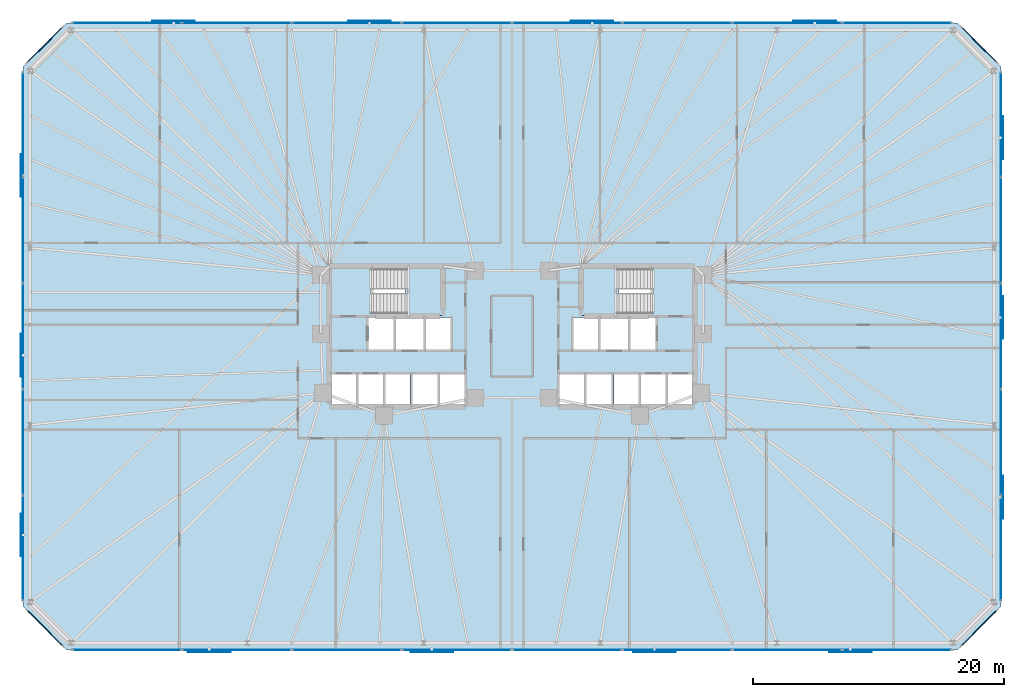
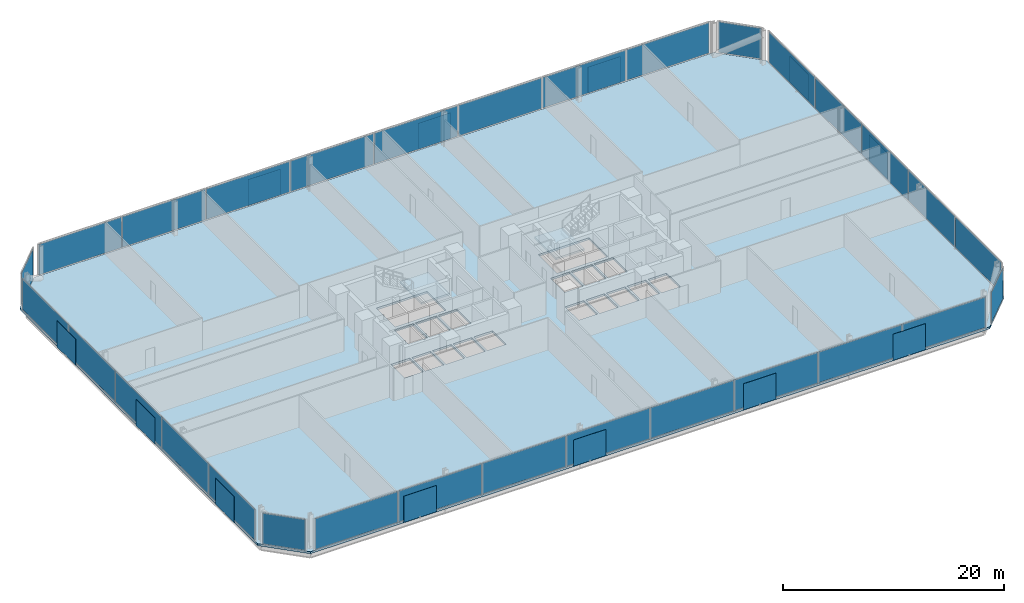
# One storey, part 11 of 17: 44 plates, 3 slabs, 10 elements without a shape of their own.
"""IFC4 building model written with IfcOpenShell, lengths in metres."""

from ifc_helpers import new_model, si_unit, direction, frame, origin, origin_2d, place, context, subcontext, project, spatial, polyline, rectangle, outline, extrude, material, layer, layer_set, type_object, element, aggregate, save


model = new_model("IFC4")

# Units and contexts
model_context = context("Model", 3, precision=1e-05, world=origin(), true_north=direction((0.0, 1.0)))
body_context = subcontext(model_context, "Body", "Model", "MODEL_VIEW")
ifc_project = project(units=[si_unit("LENGTHUNIT", "METRE"), si_unit("AREAUNIT", "SQUARE_METRE"), si_unit("VOLUMEUNIT", "CUBIC_METRE"), si_unit("PLANEANGLEUNIT", "RADIAN"), si_unit("MASSUNIT", "GRAM", prefix="KILO")], contexts=[model_context])

# Site, building, storey
site_placement = place(None, origin())
site = spatial("IfcSite", under=ifc_project, at=site_placement, CompositionType="ELEMENT")
building_placement = place(site_placement, origin())
building = spatial("IfcBuilding", under=site, at=building_placement, Name="Menara Jurai Vektor", CompositionType="ELEMENT")
storey_placement = place(building_placement, frame((0.0, 0.0, 25.60009765625)))
storey = spatial("IfcBuildingStorey", under=building, at=storey_placement, Name="L05", CompositionType="ELEMENT", Elevation=25.60009765625)

# Curtain wall, plates
ifc_material_1 = material(Name="Anodised Pale Aluminium & Low-E Double Glazing", Category="aluminium")
curtain_wall_type = type_object("IfcCurtainWallType", Name="CW-BLK1", PredefinedType="NOTDEFINED", material=ifc_material_1)
curtain_wall_1_placement = place(storey_placement, origin())
curtain_wall_1 = element("IfcCurtainWall", 1, at=curtain_wall_1_placement, inside=storey, type_object=curtain_wall_type, Name="Unitised Curtain Wall L05 F01", PredefinedType="NOTDEFINED")
ifc_material_2 = material(Name="Low-E Solar-Control Double Glazed Unit", Category="glass")
ifc_layer_1 = layer(ifc_material_2, 0.035888671875)
ifc_layer_set_1 = layer_set([ifc_layer_1], Name="Low-E Solar-Control Double Glazed Unit")
plate_type_1 = type_object("IfcPlateType", Name="CW-BLK1-PNL", PredefinedType="CURTAIN_PANEL", material=ifc_layer_set_1)
plate_1_placement = place(storey_placement, frame((-30.706298828125, -25.0, 0.0947265625), z_axis=(0.0, 0.0, 1.0), x_axis=(1.0, 0.0, 0.0)))
plate_1 = element("IfcPlate", 2, at=plate_1_placement, type_object=plate_type_1, Name="CW-01 panel 1.1", PredefinedType="CURTAIN_PANEL", context=body_context, shape_type="SweptSolid", body=[
    extrude(rectangle(XDim=8.637451171875, YDim=0.035888671875, at=origin_2d()), origin(), (0.0, 0.0, 1.0), 3.385009765625),
])
plate_2_placement = place(storey_placement, frame((-21.949951171875, -25.0, 0.0947265625), z_axis=(0.0, 0.0, 1.0), x_axis=(1.0, 0.0, 0.0)))
plate_2 = element("IfcPlate", 3, at=plate_2_placement, type_object=plate_type_1, Name="CW-01 panel 2.1", PredefinedType="CURTAIN_PANEL", context=body_context, shape_type="SweptSolid", body=[
    extrude(rectangle(XDim=8.68505859375, YDim=0.035888671875, at=origin_2d()), origin(), (0.0, 0.0, 1.0), 3.385009765625),
])
plate_3_placement = place(storey_placement, frame((-13.169921875, -25.0, 0.0947265625), z_axis=(0.0, 0.0, 1.0), x_axis=(1.0, 0.0, 0.0)))
plate_3 = element("IfcPlate", 4, at=plate_3_placement, type_object=plate_type_1, Name="CW-01 panel 3.1", PredefinedType="CURTAIN_PANEL", context=body_context, shape_type="SweptSolid", body=[
    extrude(rectangle(XDim=8.68505859375, YDim=0.035888671875, at=origin_2d()), origin(), (0.0, 0.0, 1.0), 3.385009765625),
])
plate_4_placement = place(storey_placement, frame((-4.389892578125, -25.0, 0.0947265625), z_axis=(0.0, 0.0, 1.0), x_axis=(1.0, 0.0, 0.0)))
plate_4 = element("IfcPlate", 5, at=plate_4_placement, type_object=plate_type_1, Name="CW-01 panel 4.1", PredefinedType="CURTAIN_PANEL", context=body_context, shape_type="SweptSolid", body=[
    extrude(rectangle(XDim=8.68505859375, YDim=0.035888671875, at=origin_2d()), origin(), (0.0, 0.0, 1.0), 3.385009765625),
])
plate_5_placement = place(storey_placement, frame((4.389892578125, -25.0, 0.0947265625), z_axis=(0.0, 0.0, 1.0), x_axis=(1.0, 0.0, 0.0)))
plate_5 = element("IfcPlate", 6, at=plate_5_placement, type_object=plate_type_1, Name="CW-01 panel 5.1", PredefinedType="CURTAIN_PANEL", context=body_context, shape_type="SweptSolid", body=[
    extrude(rectangle(XDim=8.68505859375, YDim=0.035888671875, at=origin_2d()), origin(), (0.0, 0.0, 1.0), 3.385009765625),
])
plate_6_placement = place(storey_placement, frame((13.169921875, -25.0, 0.0947265625), z_axis=(0.0, 0.0, 1.0), x_axis=(1.0, 0.0, 0.0)))
plate_6 = element("IfcPlate", 7, at=plate_6_placement, type_object=plate_type_1, Name="CW-01 panel 6.1", PredefinedType="CURTAIN_PANEL", context=body_context, shape_type="SweptSolid", body=[
    extrude(rectangle(XDim=8.68505859375, YDim=0.035888671875, at=origin_2d()), origin(), (0.0, 0.0, 1.0), 3.385009765625),
])
plate_7_placement = place(storey_placement, frame((21.949951171875, -25.0, 0.0947265625), z_axis=(0.0, 0.0, 1.0), x_axis=(1.0, 0.0, 0.0)))
plate_7 = element("IfcPlate", 8, at=plate_7_placement, type_object=plate_type_1, Name="CW-01 panel 7.1", PredefinedType="CURTAIN_PANEL", context=body_context, shape_type="SweptSolid", body=[
    extrude(rectangle(XDim=8.68505859375, YDim=0.035888671875, at=origin_2d()), origin(), (0.0, 0.0, 1.0), 3.385009765625),
])
plate_8_placement = place(storey_placement, frame((30.706298828125, -25.0, 0.0947265625), z_axis=(0.0, 0.0, 1.0), x_axis=(1.0, 0.0, 0.0)))
plate_8 = element("IfcPlate", 9, at=plate_8_placement, type_object=plate_type_1, Name="CW-01 panel 8.1", PredefinedType="CURTAIN_PANEL", context=body_context, shape_type="SweptSolid", body=[
    extrude(rectangle(XDim=8.637451171875, YDim=0.035888671875, at=origin_2d()), origin(), (0.0, 0.0, 1.0), 3.385009765625),
])
aggregate(curtain_wall_1, [plate_1, plate_2, plate_3, plate_4, plate_5, plate_6, plate_7, plate_8])

curtain_wall_2_placement = place(storey_placement, origin())
curtain_wall_2 = element("IfcCurtainWall", 10, at=curtain_wall_2_placement, inside=storey, type_object=curtain_wall_type, Name="Unitised Curtain Wall L05 F03", PredefinedType="NOTDEFINED")
plate_9_placement = place(storey_placement, frame((39.0, -16.872314453125, 0.0947265625), z_axis=(0.0, 0.0, 1.0), x_axis=(0.0, 1.0, 0.0)))
plate_9 = element("IfcPlate", 11, at=plate_9_placement, type_object=plate_type_1, Name="CW-01 panel 1.1", PredefinedType="CURTAIN_PANEL", context=body_context, shape_type="SweptSolid", body=[
    extrude(rectangle(XDim=8.305419921875, YDim=0.035888671875, at=origin_2d()), origin(), (0.0, 0.0, 1.0), 3.385009765625),
])
plate_10_placement = place(storey_placement, frame((39.0, -8.447998046875, 0.0947265625), z_axis=(0.0, 0.0, 1.0), x_axis=(0.0, 1.0, 0.0)))
plate_10 = element("IfcPlate", 12, at=plate_10_placement, type_object=plate_type_1, Name="CW-01 panel 2.1", PredefinedType="CURTAIN_PANEL", context=body_context, shape_type="SweptSolid", body=[
    extrude(rectangle(XDim=8.35302734375, YDim=0.035888671875, at=origin_2d()), origin(), (0.0, 0.0, 1.0), 3.385009765625),
])
plate_11_placement = place(storey_placement, frame((39.0, 0.0, 0.0947265625), z_axis=(0.0, 0.0, 1.0), x_axis=(0.0, 1.0, 0.0)))
plate_11 = element("IfcPlate", 13, at=plate_11_placement, type_object=plate_type_1, Name="CW-01 panel 3.1", PredefinedType="CURTAIN_PANEL", context=body_context, shape_type="SweptSolid", body=[
    extrude(rectangle(XDim=8.35302734375, YDim=0.035888671875, at=origin_2d()), origin(), (0.0, 0.0, 1.0), 3.385009765625),
])
plate_12_placement = place(storey_placement, frame((39.0, 8.447998046875, 0.0947265625), z_axis=(0.0, 0.0, 1.0), x_axis=(0.0, 1.0, 0.0)))
plate_12 = element("IfcPlate", 14, at=plate_12_placement, type_object=plate_type_1, Name="CW-01 panel 4.1", PredefinedType="CURTAIN_PANEL", context=body_context, shape_type="SweptSolid", body=[
    extrude(rectangle(XDim=8.35302734375, YDim=0.035888671875, at=origin_2d()), origin(), (0.0, 0.0, 1.0), 3.385009765625),
])
plate_13_placement = place(storey_placement, frame((39.0, 16.872314453125, 0.0947265625), z_axis=(0.0, 0.0, 1.0), x_axis=(0.0, 1.0, 0.0)))
plate_13 = element("IfcPlate", 15, at=plate_13_placement, type_object=plate_type_1, Name="CW-01 panel 5.1", PredefinedType="CURTAIN_PANEL", context=body_context, shape_type="SweptSolid", body=[
    extrude(rectangle(XDim=8.305419921875, YDim=0.035888671875, at=origin_2d()), origin(), (0.0, 0.0, 1.0), 3.385009765625),
])
aggregate(curtain_wall_2, [plate_9, plate_10, plate_11, plate_12, plate_13])

curtain_wall_3_placement = place(storey_placement, origin())
curtain_wall_3 = element("IfcCurtainWall", 16, at=curtain_wall_3_placement, inside=storey, type_object=curtain_wall_type, Name="Unitised Curtain Wall L05 F05", PredefinedType="NOTDEFINED")
plate_14_placement = place(storey_placement, frame((30.706298828125, 25.0, 0.0947265625), z_axis=(0.0, 0.0, 1.0), x_axis=(-1.0, 0.0, 0.0)))
plate_14 = element("IfcPlate", 17, at=plate_14_placement, type_object=plate_type_1, Name="CW-01 panel 1.1", PredefinedType="CURTAIN_PANEL", context=body_context, shape_type="SweptSolid", body=[
    extrude(rectangle(XDim=8.637451171875, YDim=0.035888671875, at=origin_2d()), origin(), (0.0, 0.0, 1.0), 3.385009765625),
])
plate_15_placement = place(storey_placement, frame((21.949951171875, 25.0, 0.0947265625), z_axis=(0.0, 0.0, 1.0), x_axis=(-1.0, 0.0, 0.0)))
plate_15 = element("IfcPlate", 18, at=plate_15_placement, type_object=plate_type_1, Name="CW-01 panel 2.1", PredefinedType="CURTAIN_PANEL", context=body_context, shape_type="SweptSolid", body=[
    extrude(rectangle(XDim=8.68505859375, YDim=0.035888671875, at=origin_2d()), origin(), (0.0, 0.0, 1.0), 3.385009765625),
])
plate_16_placement = place(storey_placement, frame((13.169921875, 25.0, 0.0947265625), z_axis=(0.0, 0.0, 1.0), x_axis=(-1.0, 0.0, 0.0)))
plate_16 = element("IfcPlate", 19, at=plate_16_placement, type_object=plate_type_1, Name="CW-01 panel 3.1", PredefinedType="CURTAIN_PANEL", context=body_context, shape_type="SweptSolid", body=[
    extrude(rectangle(XDim=8.68505859375, YDim=0.035888671875, at=origin_2d()), origin(), (0.0, 0.0, 1.0), 3.385009765625),
])
plate_17_placement = place(storey_placement, frame((4.389892578125, 25.0, 0.0947265625), z_axis=(0.0, 0.0, 1.0), x_axis=(-1.0, 0.0, 0.0)))
plate_17 = element("IfcPlate", 20, at=plate_17_placement, type_object=plate_type_1, Name="CW-01 panel 4.1", PredefinedType="CURTAIN_PANEL", context=body_context, shape_type="SweptSolid", body=[
    extrude(rectangle(XDim=8.68505859375, YDim=0.035888671875, at=origin_2d()), origin(), (0.0, 0.0, 1.0), 3.385009765625),
])
plate_18_placement = place(storey_placement, frame((-4.389892578125, 25.0, 0.0947265625), z_axis=(0.0, 0.0, 1.0), x_axis=(-1.0, 0.0, 0.0)))
plate_18 = element("IfcPlate", 21, at=plate_18_placement, type_object=plate_type_1, Name="CW-01 panel 5.1", PredefinedType="CURTAIN_PANEL", context=body_context, shape_type="SweptSolid", body=[
    extrude(rectangle(XDim=8.68505859375, YDim=0.035888671875, at=origin_2d()), origin(), (0.0, 0.0, 1.0), 3.385009765625),
])
plate_19_placement = place(storey_placement, frame((-13.169921875, 25.0, 0.0947265625), z_axis=(0.0, 0.0, 1.0), x_axis=(-1.0, 0.0, 0.0)))
plate_19 = element("IfcPlate", 22, at=plate_19_placement, type_object=plate_type_1, Name="CW-01 panel 6.1", PredefinedType="CURTAIN_PANEL", context=body_context, shape_type="SweptSolid", body=[
    extrude(rectangle(XDim=8.68505859375, YDim=0.035888671875, at=origin_2d()), origin(), (0.0, 0.0, 1.0), 3.385009765625),
])
plate_20_placement = place(storey_placement, frame((-21.949951171875, 25.0, 0.0947265625), z_axis=(0.0, 0.0, 1.0), x_axis=(-1.0, 0.0, 0.0)))
plate_20 = element("IfcPlate", 23, at=plate_20_placement, type_object=plate_type_1, Name="CW-01 panel 7.1", PredefinedType="CURTAIN_PANEL", context=body_context, shape_type="SweptSolid", body=[
    extrude(rectangle(XDim=8.68505859375, YDim=0.035888671875, at=origin_2d()), origin(), (0.0, 0.0, 1.0), 3.385009765625),
])
plate_21_placement = place(storey_placement, frame((-30.706298828125, 25.0, 0.0947265625), z_axis=(0.0, 0.0, 1.0), x_axis=(-1.0, 0.0, 0.0)))
plate_21 = element("IfcPlate", 24, at=plate_21_placement, type_object=plate_type_1, Name="CW-01 panel 8.1", PredefinedType="CURTAIN_PANEL", context=body_context, shape_type="SweptSolid", body=[
    extrude(rectangle(XDim=8.637451171875, YDim=0.035888671875, at=origin_2d()), origin(), (0.0, 0.0, 1.0), 3.385009765625),
])
aggregate(curtain_wall_3, [plate_14, plate_15, plate_16, plate_17, plate_18, plate_19, plate_20, plate_21])

curtain_wall_4_placement = place(storey_placement, origin())
curtain_wall_4 = element("IfcCurtainWall", 25, at=curtain_wall_4_placement, inside=storey, type_object=curtain_wall_type, Name="Unitised Curtain Wall L05 F07", PredefinedType="NOTDEFINED")
plate_22_placement = place(storey_placement, frame((-39.0, 16.872314453125, 0.0947265625), z_axis=(0.0, 0.0, 1.0), x_axis=(0.0, -1.0, 0.0)))
plate_22 = element("IfcPlate", 26, at=plate_22_placement, type_object=plate_type_1, Name="CW-01 panel 1.1", PredefinedType="CURTAIN_PANEL", context=body_context, shape_type="SweptSolid", body=[
    extrude(rectangle(XDim=8.305419921875, YDim=0.035888671875, at=origin_2d()), origin(), (0.0, 0.0, 1.0), 3.385009765625),
])
plate_23_placement = place(storey_placement, frame((-39.0, 8.447998046875, 0.0947265625), z_axis=(0.0, 0.0, 1.0), x_axis=(0.0, -1.0, 0.0)))
plate_23 = element("IfcPlate", 27, at=plate_23_placement, type_object=plate_type_1, Name="CW-01 panel 2.1", PredefinedType="CURTAIN_PANEL", context=body_context, shape_type="SweptSolid", body=[
    extrude(rectangle(XDim=8.35302734375, YDim=0.035888671875, at=origin_2d()), origin(), (0.0, 0.0, 1.0), 3.385009765625),
])
plate_24_placement = place(storey_placement, frame((-39.0, 0.0, 0.0947265625), z_axis=(0.0, 0.0, 1.0), x_axis=(0.0, -1.0, 0.0)))
plate_24 = element("IfcPlate", 28, at=plate_24_placement, type_object=plate_type_1, Name="CW-01 panel 3.1", PredefinedType="CURTAIN_PANEL", context=body_context, shape_type="SweptSolid", body=[
    extrude(rectangle(XDim=8.35302734375, YDim=0.035888671875, at=origin_2d()), origin(), (0.0, 0.0, 1.0), 3.385009765625),
])
plate_25_placement = place(storey_placement, frame((-39.0, -8.447998046875, 0.0947265625), z_axis=(0.0, 0.0, 1.0), x_axis=(0.0, -1.0, 0.0)))
plate_25 = element("IfcPlate", 29, at=plate_25_placement, type_object=plate_type_1, Name="CW-01 panel 4.1", PredefinedType="CURTAIN_PANEL", context=body_context, shape_type="SweptSolid", body=[
    extrude(rectangle(XDim=8.35302734375, YDim=0.035888671875, at=origin_2d()), origin(), (0.0, 0.0, 1.0), 3.385009765625),
])
plate_26_placement = place(storey_placement, frame((-39.0, -16.872314453125, 0.0947265625), z_axis=(0.0, 0.0, 1.0), x_axis=(0.0, -1.0, 0.0)))
plate_26 = element("IfcPlate", 30, at=plate_26_placement, type_object=plate_type_1, Name="CW-01 panel 5.1", PredefinedType="CURTAIN_PANEL", context=body_context, shape_type="SweptSolid", body=[
    extrude(rectangle(XDim=8.305419921875, YDim=0.035888671875, at=origin_2d()), origin(), (0.0, 0.0, 1.0), 3.385009765625),
])
aggregate(curtain_wall_4, [plate_22, plate_23, plate_24, plate_25, plate_26])

# Curtain wall, plate
curtain_wall_5_placement = place(storey_placement, origin())
curtain_wall_5 = element("IfcCurtainWall", 31, at=curtain_wall_5_placement, inside=storey, type_object=curtain_wall_type, Name="Unitised Curtain Wall L05 F02", PredefinedType="NOTDEFINED")
ifc_material_3 = material(Name="Insulated Pale Aluminium Spandrel Panel", Category="aluminium")
ifc_layer_2 = layer(ifc_material_3, 0.06005859375)
ifc_layer_set_2 = layer_set([ifc_layer_2], Name="Insulated Pale Aluminium Spandrel Panel")
plate_type_2 = type_object("IfcPlateType", Name="CW-PNL-SP", PredefinedType="CURTAIN_PANEL", material=ifc_layer_set_2)
plate_27_placement = place(storey_placement, frame((37.25, -23.25, 0.0947265625), z_axis=(0.0, 0.0, 1.0), x_axis=(0.707106781187, 0.707106781187, 0.0)))
plate_27 = element("IfcPlate", 32, at=plate_27_placement, type_object=plate_type_2, Name="CW-01 panel 1.1", PredefinedType="CURTAIN_PANEL", context=body_context, shape_type="SweptSolid", body=[
    extrude(rectangle(XDim=3.999755859375, YDim=0.06005859375, at=origin_2d()), origin(), (0.0, 0.0, 1.0), 3.385009765625),
])
aggregate(curtain_wall_5, [plate_27])

curtain_wall_6_placement = place(storey_placement, origin())
curtain_wall_6 = element("IfcCurtainWall", 33, at=curtain_wall_6_placement, inside=storey, type_object=curtain_wall_type, Name="Unitised Curtain Wall L05 F04", PredefinedType="NOTDEFINED")
plate_28_placement = place(storey_placement, frame((37.25, 23.25, 0.0947265625), z_axis=(0.0, 0.0, 1.0), x_axis=(-0.707106781187, 0.707106781187, 0.0)))
plate_28 = element("IfcPlate", 34, at=plate_28_placement, type_object=plate_type_2, Name="CW-01 panel 1.1", PredefinedType="CURTAIN_PANEL", context=body_context, shape_type="SweptSolid", body=[
    extrude(rectangle(XDim=3.999755859375, YDim=0.06005859375, at=origin_2d()), origin(), (0.0, 0.0, 1.0), 3.385009765625),
])
aggregate(curtain_wall_6, [plate_28])

curtain_wall_7_placement = place(storey_placement, origin())
curtain_wall_7 = element("IfcCurtainWall", 35, at=curtain_wall_7_placement, inside=storey, type_object=curtain_wall_type, Name="Unitised Curtain Wall L05 F06", PredefinedType="NOTDEFINED")
plate_29_placement = place(storey_placement, frame((-37.25, 23.25, 0.0947265625), z_axis=(0.0, 0.0, 1.0), x_axis=(-0.707106781187, -0.707106781187, 0.0)))
plate_29 = element("IfcPlate", 36, at=plate_29_placement, type_object=plate_type_2, Name="CW-01 panel 1.1", PredefinedType="CURTAIN_PANEL", context=body_context, shape_type="SweptSolid", body=[
    extrude(rectangle(XDim=3.999755859375, YDim=0.06005859375, at=origin_2d()), origin(), (0.0, 0.0, 1.0), 3.385009765625),
])
aggregate(curtain_wall_7, [plate_29])

curtain_wall_8_placement = place(storey_placement, origin())
curtain_wall_8 = element("IfcCurtainWall", 37, at=curtain_wall_8_placement, inside=storey, type_object=curtain_wall_type, Name="Unitised Curtain Wall L05 F08", PredefinedType="NOTDEFINED")
plate_30_placement = place(storey_placement, frame((-37.25, -23.25, 0.0947265625), z_axis=(0.0, 0.0, 1.0), x_axis=(0.707106781187, -0.707106781187, 0.0)))
plate_30 = element("IfcPlate", 38, at=plate_30_placement, type_object=plate_type_2, Name="CW-01 panel 1.1", PredefinedType="CURTAIN_PANEL", context=body_context, shape_type="SweptSolid", body=[
    extrude(rectangle(XDim=3.999755859375, YDim=0.06005859375, at=origin_2d()), origin(), (0.0, 0.0, 1.0), 3.385009765625),
])
aggregate(curtain_wall_8, [plate_30])

# Plates
ifc_material_4 = material(Name="Anodised Pale Aluminium Perforated Screen", Category="aluminium")
ifc_layer_3 = layer(ifc_material_4, 0.02392578125)
ifc_layer_set_3 = layer_set([ifc_layer_3], Name="Anodised Pale Aluminium Perforated Screen")
plate_type_3 = type_object("IfcPlateType", Name="ENV-PLT-SCREEN", PredefinedType="USERDEFINED", material=ifc_layer_set_3)
for number, where, z_axis, x_axis, name in (
    (39, (-24.139892578125, -25.159912109375, -0.050048828125), (0.0, 0.0, 1.0), (1.0, 0.0, 0.0), "Perforated Pale-Metal Solar Screen L05-S01"),
    (40, (-6.389892578125, -25.159912109375, -0.050048828125), (0.0, 0.0, 1.0), (1.0, 0.0, 0.0), "Perforated Pale-Metal Solar Screen L05-S02"),
    (41, (11.360107421875, -25.159912109375, -0.050048828125), (0.0, 0.0, 1.0), (1.0, 0.0, 0.0), "Perforated Pale-Metal Solar Screen L05-S03"),
    (42, (26.97998046875, -25.159912109375, -0.050048828125), (0.0, 0.0, 1.0), (1.0, 0.0, 0.0), "Perforated Pale-Metal Solar Screen L05-S04"),
    (43, (39.159912109375, -12.828369140625, -0.050048828125), (0.0, 0.0, 1.0), (0.0, 1.0, 0.0), "Perforated Pale-Metal Solar Screen L05-S05"),
    (44, (39.159912109375, 1.5048828125, -0.050048828125), (0.0, 0.0, 1.0), (0.0, 1.0, 0.0), "Perforated Pale-Metal Solar Screen L05-S06"),
    (45, (39.159912109375, 15.83837890625, -0.050048828125), (0.0, 0.0, 1.0), (0.0, 1.0, 0.0), "Perforated Pale-Metal Solar Screen L05-S07"),
    (46, (24.139892578125, 25.159912109375, -0.050048828125), (0.0, 0.0, 1.0), (-1.0, 0.0, 0.0), "Perforated Pale-Metal Solar Screen L05-S08"),
    (47, (6.389892578125, 25.159912109375, -0.050048828125), (0.0, 0.0, 1.0), (-1.0, 0.0, 0.0), "Perforated Pale-Metal Solar Screen L05-S09"),
    (48, (-11.360107421875, 25.159912109375, -0.050048828125), (0.0, 0.0, 1.0), (-1.0, 0.0, 0.0), "Perforated Pale-Metal Solar Screen L05-S10"),
    (49, (-26.97998046875, 25.159912109375, -0.050048828125), (0.0, 0.0, 1.0), (-1.0, 0.0, 0.0), "Perforated Pale-Metal Solar Screen L05-S11"),
    (50, (-39.159912109375, 12.828369140625, -0.050048828125), (0.0, 0.0, 1.0), (0.0, -1.0, 0.0), "Perforated Pale-Metal Solar Screen L05-S12"),
    (51, (-39.159912109375, -1.5048828125, -0.050048828125), (0.0, 0.0, 1.0), (0.0, -1.0, 0.0), "Perforated Pale-Metal Solar Screen L05-S13"),
    (52, (-39.159912109375, -15.83837890625, -0.050048828125), (0.0, 0.0, 1.0), (0.0, -1.0, 0.0), "Perforated Pale-Metal Solar Screen L05-S14"),
):
    element("IfcPlate", number, at=place(storey_placement, frame(where, z_axis=z_axis, x_axis=x_axis)), inside=storey, type_object=plate_type_3, Name=name, ObjectType="SCREEN", PredefinedType="USERDEFINED", context=body_context, shape_type="SweptSolid", body=[
        extrude(rectangle(XDim=3.39990234375, YDim=0.02392578125, at=origin_2d()), origin(), (0.0, 0.0, 1.0), 2.89990234375),
    ])

# Stair, slab
ifc_material_5 = material(Name="Concrete C40/50", Category="concrete")
stair_type = type_object("IfcStairType", Name="STAIR-DOGLEG-1500", PredefinedType="HALF_TURN_STAIR", material=ifc_material_5)
stair_1_placement = place(storey_placement, origin())
stair_1 = element("IfcStair", 53, at=stair_1_placement, inside=storey, type_object=stair_type, Name="Protected Exit Stair ST1 L05", PredefinedType="HALF_TURN_STAIR")
ifc_layer_4 = layer(ifc_material_5, 0.199951171875)
ifc_layer_set_4 = layer_set([ifc_layer_4], Name="Concrete C40/50")
slab_type_1 = type_object("IfcSlabType", Name="STAIR-LANDING-200", PredefinedType="LANDING", material=ifc_layer_set_4)
slab_1_placement = place(storey_placement, frame((0.0, 0.0, 1.699951171875)))
slab_1 = element("IfcSlab", 54, at=slab_1_placement, type_object=slab_type_1, Name="ST1 landing 1", PredefinedType="LANDING", context=body_context, shape_type="SweptSolid", body=[
    extrude(outline(polyline([(-8.52001953125, 1.64990234375), (-5.550048828125, 1.64990234375), (-5.550048828125, 5.550048828125), (-8.52001953125, 5.550048828125), (-8.52001953125, 1.64990234375)])), origin(), (0.0, 0.0, 1.0), 0.199951171875),
])
aggregate(stair_1, [slab_1])

stair_2_placement = place(storey_placement, origin())
stair_2 = element("IfcStair", 55, at=stair_2_placement, inside=storey, type_object=stair_type, Name="Protected Exit Stair ST2 L05", PredefinedType="HALF_TURN_STAIR")
slab_2_placement = place(storey_placement, frame((0.0, 0.0, 1.699951171875)))
slab_2 = element("IfcSlab", 56, at=slab_2_placement, type_object=slab_type_1, Name="ST2 landing 1", PredefinedType="LANDING", context=body_context, shape_type="SweptSolid", body=[
    extrude(outline(polyline([(5.550048828125, 1.64990234375), (8.52001953125, 1.64990234375), (8.52001953125, 5.550048828125), (5.550048828125, 5.550048828125), (5.550048828125, 1.64990234375)])), origin(), (0.0, 0.0, 1.0), 0.199951171875),
])
aggregate(stair_2, [slab_2])

# Slab
ifc_layer_5 = layer(ifc_material_5, 0.22509765625)
ifc_layer_set_5 = layer_set([ifc_layer_5], Name="Concrete C40/50")
slab_type_2 = type_object("IfcSlabType", Name="STR-SLAB-TYP200", PredefinedType="FLOOR", material=ifc_layer_set_5)
slab_3_placement = place(storey_placement, frame((0.0, 0.0, -0.22509765625)))
element("IfcSlab", 57, at=slab_3_placement, inside=storey, type_object=slab_type_2, Name="Composite Floor Slab L05", PredefinedType="FLOOR", context=body_context, shape_type="SweptSolid", body=[
    extrude(outline(polyline([(-35.5, -25.0), (35.5, -25.0), (39.0, -21.5), (39.0, 21.5), (35.5, 25.0), (-35.5, 25.0), (-39.0, 21.5), (-39.0, -21.5), (-35.5, -25.0)]), holes=[polyline([(-11.10009765625, 1.89990234375), (-11.10009765625, 5.300048828125), (-5.800048828125, 5.300048828125), (-5.800048828125, 1.89990234375), (-11.10009765625, 1.89990234375)]), polyline([(5.800048828125, 1.89990234375), (5.800048828125, 5.300048828125), (11.10009765625, 5.300048828125), (11.10009765625, 1.89990234375), (5.800048828125, 1.89990234375)]), polyline([(-11.449951171875, -1.050048828125), (-11.449951171875, 1.5), (-9.449951171875, 1.5), (-9.449951171875, -1.050048828125), (-11.449951171875, -1.050048828125)]), polyline([(9.449951171875, -1.050048828125), (9.449951171875, 1.5), (11.449951171875, 1.5), (11.449951171875, -1.050048828125), (9.449951171875, -1.050048828125)]), polyline([(-5.760009765625, -5.5), (-5.760009765625, -3.050048828125), (-3.800048828125, -3.050048828125), (-3.800048828125, -5.5), (-5.760009765625, -5.5)]), polyline([(-6.85009765625, -1.050048828125), (-6.85009765625, 1.5), (-4.889892578125, 1.5), (-4.889892578125, -1.050048828125), (-6.85009765625, -1.050048828125)]), polyline([(3.800048828125, -5.5), (3.800048828125, -3.050048828125), (5.760009765625, -3.050048828125), (5.760009765625, -5.5), (3.800048828125, -5.5)]), polyline([(4.889892578125, -1.050048828125), (4.889892578125, 1.5), (6.85009765625, 1.5), (6.85009765625, -1.050048828125), (4.889892578125, -1.050048828125)]), polyline([(-14.39990234375, -5.5), (-14.39990234375, -3.050048828125), (-12.43994140625, -3.050048828125), (-12.43994140625, -5.5), (-14.39990234375, -5.5)]), polyline([(-12.239990234375, -5.5), (-12.239990234375, -3.050048828125), (-10.280029296875, -3.050048828125), (-10.280029296875, -5.5), (-12.239990234375, -5.5)]), polyline([(10.280029296875, -5.5), (10.280029296875, -3.050048828125), (12.239990234375, -3.050048828125), (12.239990234375, -5.5), (10.280029296875, -5.5)]), polyline([(12.43994140625, -5.5), (12.43994140625, -3.050048828125), (14.39990234375, -3.050048828125), (14.39990234375, -5.5), (12.43994140625, -5.5)]), polyline([(-10.080078125, -5.5), (-10.080078125, -3.050048828125), (-8.1201171875, -3.050048828125), (-8.1201171875, -5.5), (-10.080078125, -5.5)]), polyline([(-7.919921875, -5.5), (-7.919921875, -3.050048828125), (-5.9599609375, -3.050048828125), (-5.9599609375, -5.5), (-7.919921875, -5.5)]), polyline([(5.9599609375, -5.5), (5.9599609375, -3.050048828125), (7.919921875, -3.050048828125), (7.919921875, -5.5), (5.9599609375, -5.5)]), polyline([(8.1201171875, -5.5), (8.1201171875, -3.050048828125), (10.080078125, -3.050048828125), (10.080078125, -5.5), (8.1201171875, -5.5)]), polyline([(-9.25, -1.050048828125), (-9.25, 1.5), (-7.050048828125, 1.5), (-7.050048828125, -1.050048828125), (-9.25, -1.050048828125)]), polyline([(7.050048828125, -1.050048828125), (7.050048828125, 1.5), (9.25, 1.5), (9.25, -1.050048828125), (7.050048828125, -1.050048828125)])]), origin(), (0.0, 0.0, 1.0), 0.22509765625),
])

save(model, "model.ifc")
